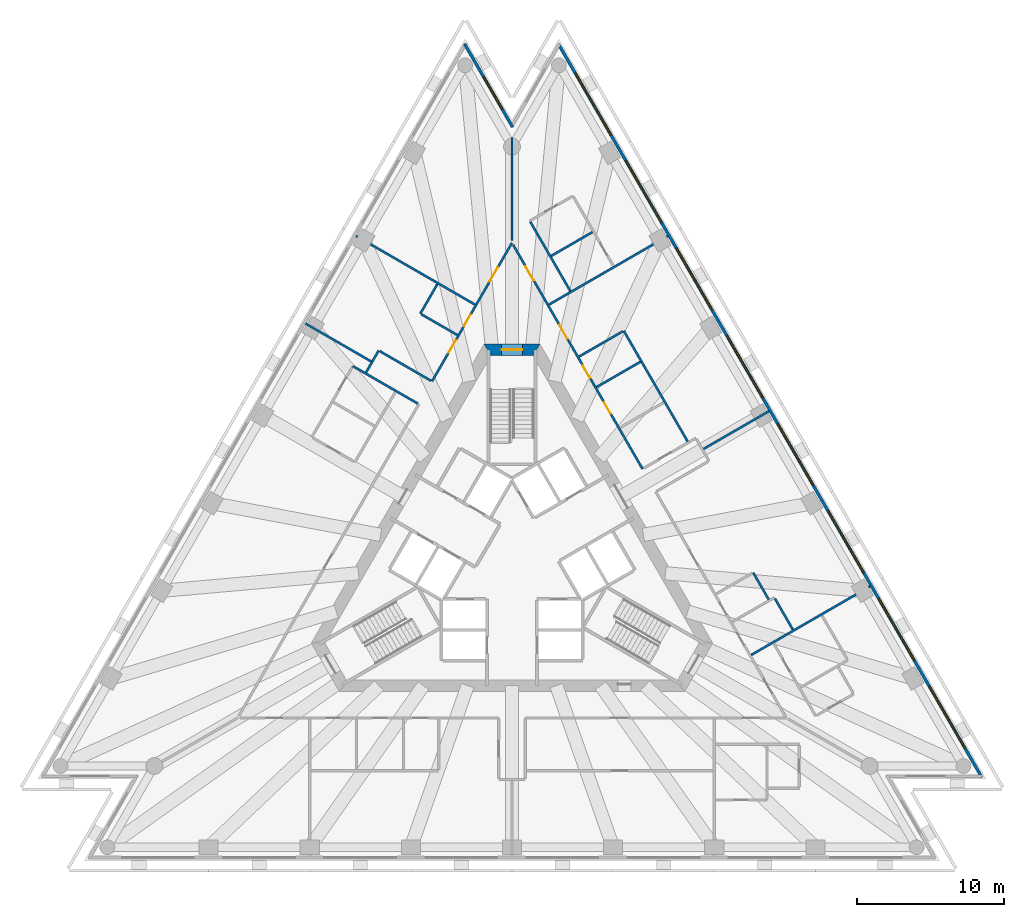
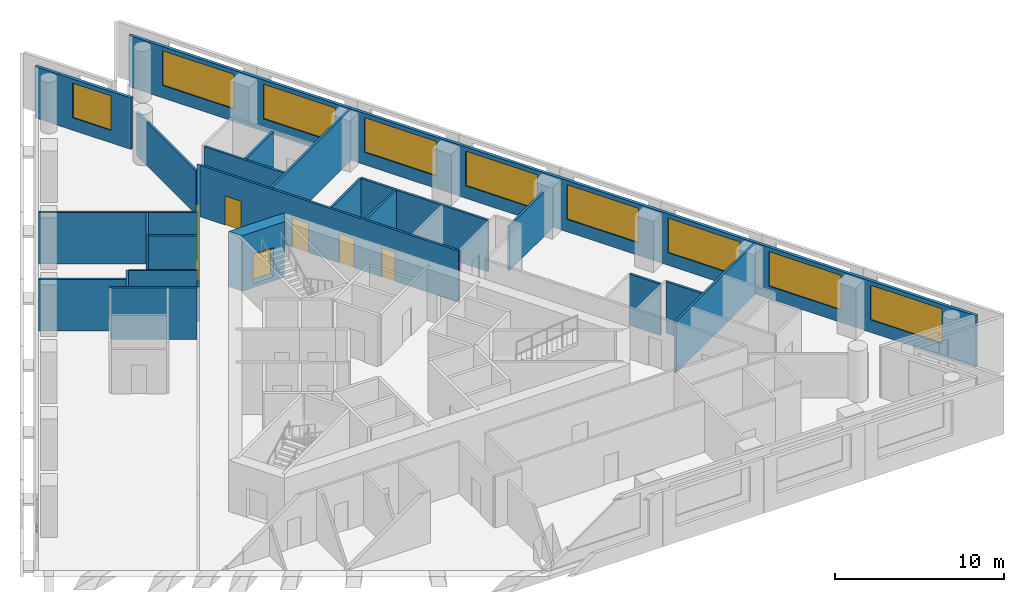
# One storey, part 6 of 10: 23 walls, 9 windows, 8 doors, 17 openings.
"""IFC4 building model written with IfcOpenShell, lengths in metres."""

from ifc_helpers import new_model, si_unit, direction, frame, frame_2d, origin, place, context, subcontext, project, spatial, polyline, rectangle, outline, extrude, material, layer, layer_set, layer_usage, type_object, element, fill, save


model = new_model("IFC4")

# Units and contexts
model_context = context("Model", 3, precision=1e-05, world=origin(), true_north=direction((0.0, 1.0)))
body_context = subcontext(model_context, "Body", "Model", "MODEL_VIEW")
ifc_project = project(units=[si_unit("LENGTHUNIT", "METRE"), si_unit("AREAUNIT", "SQUARE_METRE"), si_unit("VOLUMEUNIT", "CUBIC_METRE"), si_unit("PLANEANGLEUNIT", "RADIAN"), si_unit("MASSUNIT", "GRAM", prefix="KILO")], contexts=[model_context])

# Site, building, storey
site_placement = place(None, origin())
site = spatial("IfcSite", under=ifc_project, at=site_placement, CompositionType="ELEMENT")
building_placement = place(site_placement, origin())
building = spatial("IfcBuilding", under=site, at=building_placement, Name="Triada Interchange Tower", CompositionType="ELEMENT")
storey_placement = place(building_placement, frame((0.0, 0.0, 116.300048828125)))
storey = spatial("IfcBuildingStorey", under=building, at=storey_placement, Name="L26", CompositionType="ELEMENT", Elevation=116.300048828125)

# Wall, opening, door
ifc_material_1 = material(Name="Concrete C60/75", Category="concrete")
ifc_layer_1 = layer(ifc_material_1, 0.800048828125)
ifc_layer_set_1 = layer_set([ifc_layer_1], Name="Core wall B 800")
wall_type_1 = type_object("IfcWallType", Name="Core wall B 800", PredefinedType="SHEAR", material=ifc_layer_set_1)
wall_1_placement = place(storey_placement, frame((1.674072265625, 14.300048828125, -0.300048828125), z_axis=(0.0, 0.0, 1.0), x_axis=(-1.0, 0.0, 0.0)))
wall_1 = element("IfcWall", 1, at=wall_1_placement, inside=storey, type_object=wall_type_1, Name="Core wall WB01 L26", PredefinedType="SHEAR", context=body_context, shape_type="SweptSolid", body=[
    extrude(outline(polyline([(-0.23095703125, -0.39990234375), (1.674072265625, -0.39990234375), (3.5791015625, -0.39990234375), (3.116943359375, 0.39990234375), (1.673828125, 0.39990234375), (0.23095703125, 0.39990234375), (-0.23095703125, -0.39990234375)])), origin(), (0.0, 0.0, 1.0), 4.0),
])
opening_1_placement = place(wall_1_placement, frame((0.97412109375, 0.0, 0.300048828125)))
opening_1 = element("IfcOpeningElement", 2, at=opening_1_placement, cuts=wall_1, Name="Opening D26-41", PredefinedType="OPENING", context=body_context, shape_type="SweptSolid", body=[
    extrude(rectangle(XDim=1.39990234375, YDim=2.10009765625, at=frame_2d((0.699951171875, 1.050048828125))), frame((0.0, 0.409912109375, 0.0), z_axis=(0.0, -1.0, 0.0), x_axis=(1.0, 0.0, 0.0)), (0.0, 0.0, 1.0), 0.820068359375),
])
ifc_material_2 = material(Name="Steel S235 door leaf", Category="steel")
door_type_1 = type_object("IfcDoorType", Name="STAIR DOOR 1400 EI2 90-C5S200", OperationType="DOUBLE_DOOR_SINGLE_SWING", PredefinedType="DOOR", material=ifc_material_2)
door_1_placement = place(opening_1_placement, origin())
door_1 = element("IfcDoor", 3, at=door_1_placement, inside=storey, type_object=door_type_1, Name="Door D26-41 L26", OperationType="DOUBLE_DOOR_SINGLE_SWING", OverallHeight=2.10009765625, OverallWidth=1.39990234375, PredefinedType="DOOR", context=body_context, shape_type="SweptSolid", body=[
    extrude(rectangle(XDim=1.39990234375, YDim=2.10009765625, at=frame_2d((0.699951171875, 1.050048828125))), frame((0.0, 0.02490234375, 0.0), z_axis=(0.0, -1.0, 0.0), x_axis=(1.0, 0.0, 0.0)), (0.0, 0.0, 1.0), 0.050048828125),
])
fill(opening_1, door_1)

# Wall, openings, windows
ifc_material_3 = material(Name="Cement board")
ifc_layer_2 = layer(ifc_material_3, 0.02001953125, Name="Cement board cladding")
ifc_material_4 = material(Name="Sheathing board")
ifc_layer_3 = layer(ifc_material_4, 0.014892578125, Name="Sheathing board")
ifc_material_5 = material(Name="Mineral wool")
ifc_layer_4 = layer(ifc_material_5, 0.14990234375, Name="Mineral wool between steel studs")
ifc_material_6 = material(Name="Gypsum board")
ifc_layer_5 = layer(ifc_material_6, 0.014892578125, Name="Plasterboard lining")
ifc_layer_set_2 = layer_set([ifc_layer_2, ifc_layer_3, ifc_layer_4, ifc_layer_5], Name="External wall 200")
ifc_layer_usage = layer_usage(ifc_layer_set_2, "AXIS2", "POSITIVE", -0.10009765625)
wall_type_2 = type_object("IfcWallType", Name="External wall 200", PredefinedType="ELEMENTEDWALL", material=ifc_layer_set_2)
wall_2_placement = place(storey_placement, frame((32.048095703125, -14.861083984375, 0.0), z_axis=(0.0, 0.0, 1.0), x_axis=(-0.499996704161, 0.866027306629, 0.0)))
wall_2 = element("IfcWall", 4, at=wall_2_placement, inside=storey, type_object=wall_type_2, material=ifc_layer_usage, Name="External wall L26 NE", PredefinedType="ELEMENTEDWALL", context=body_context, shape_type="SweptSolid", body=[
    extrude(rectangle(XDim=57.7685546875, YDim=0.199951171875, at=frame_2d((28.88427734375, 0.0))), origin(), (0.0, 0.0, 1.0), 3.699951171875),
])
opening_2_placement = place(wall_2_placement, frame((2.302001953125, 0.0, 0.89990234375)))
opening_2 = element("IfcOpeningElement", 5, at=opening_2_placement, cuts=wall_2, Name="Opening WB21", PredefinedType="OPENING", context=body_context, shape_type="SweptSolid", body=[
    extrude(rectangle(XDim=4.89990234375, YDim=2.5, at=frame_2d((2.449951171875, 1.25))), frame((0.0, 0.10986328125, 0.0), z_axis=(0.0, -1.0, 0.0), x_axis=(1.0, 0.0, 0.0)), (0.0, 0.0, 1.0), 0.219970703125),
])
opening_3_placement = place(wall_2_placement, frame((9.198974609375, 0.0, 0.89990234375)))
opening_3 = element("IfcOpeningElement", 6, at=opening_3_placement, cuts=wall_2, Name="Opening WB22", PredefinedType="OPENING", context=body_context, shape_type="SweptSolid", body=[
    extrude(rectangle(XDim=4.89990234375, YDim=2.5, at=frame_2d((2.449951171875, 1.25))), frame((0.0, 0.10986328125, 0.0), z_axis=(0.0, -1.0, 0.0), x_axis=(1.0, 0.0, 0.0)), (0.0, 0.0, 1.0), 0.219970703125),
])
opening_4_placement = place(wall_2_placement, frame((16.096923828125, 0.0, 0.89990234375)))
opening_4 = element("IfcOpeningElement", 7, at=opening_4_placement, cuts=wall_2, Name="Opening WB23", PredefinedType="OPENING", context=body_context, shape_type="SweptSolid", body=[
    extrude(rectangle(XDim=4.89990234375, YDim=2.5, at=frame_2d((2.449951171875, 1.25))), frame((0.0, 0.10986328125, 0.0), z_axis=(0.0, -1.0, 0.0), x_axis=(1.0, 0.0, 0.0)), (0.0, 0.0, 1.0), 0.219970703125),
])
opening_5_placement = place(wall_2_placement, frame((22.9951171875, 0.0, 0.89990234375)))
opening_5 = element("IfcOpeningElement", 8, at=opening_5_placement, cuts=wall_2, Name="Opening WB24", PredefinedType="OPENING", context=body_context, shape_type="SweptSolid", body=[
    extrude(rectangle(XDim=4.89990234375, YDim=2.5, at=frame_2d((2.449951171875, 1.25))), frame((0.0, 0.10986328125, 0.0), z_axis=(0.0, -1.0, 0.0), x_axis=(1.0, 0.0, 0.0)), (0.0, 0.0, 1.0), 0.219970703125),
])
opening_6_placement = place(wall_2_placement, frame((29.89306640625, 0.0, 0.89990234375)))
opening_6 = element("IfcOpeningElement", 9, at=opening_6_placement, cuts=wall_2, Name="Opening WB25", PredefinedType="OPENING", context=body_context, shape_type="SweptSolid", body=[
    extrude(rectangle(XDim=4.89990234375, YDim=2.5, at=frame_2d((2.449951171875, 1.25))), frame((0.0, 0.10986328125, 0.0), z_axis=(0.0, -1.0, 0.0), x_axis=(1.0, 0.0, 0.0)), (0.0, 0.0, 1.0), 0.219970703125),
])
opening_7_placement = place(wall_2_placement, frame((36.791015625, 0.0, 0.89990234375)))
opening_7 = element("IfcOpeningElement", 10, at=opening_7_placement, cuts=wall_2, Name="Opening WB26", PredefinedType="OPENING", context=body_context, shape_type="SweptSolid", body=[
    extrude(rectangle(XDim=4.89990234375, YDim=2.5, at=frame_2d((2.449951171875, 1.25))), frame((0.0, 0.10986328125, 0.0), z_axis=(0.0, -1.0, 0.0), x_axis=(1.0, 0.0, 0.0)), (0.0, 0.0, 1.0), 0.219970703125),
])
opening_8_placement = place(wall_2_placement, frame((43.68896484375, 0.0, 0.89990234375)))
opening_8 = element("IfcOpeningElement", 11, at=opening_8_placement, cuts=wall_2, Name="Opening WB27", PredefinedType="OPENING", context=body_context, shape_type="SweptSolid", body=[
    extrude(rectangle(XDim=4.89990234375, YDim=2.5, at=frame_2d((2.449951171875, 1.25))), frame((0.0, 0.10986328125, 0.0), z_axis=(0.0, -1.0, 0.0), x_axis=(1.0, 0.0, 0.0)), (0.0, 0.0, 1.0), 0.219970703125),
])
opening_9_placement = place(wall_2_placement, frame((50.5869140625, 0.0, 0.89990234375)))
opening_9 = element("IfcOpeningElement", 12, at=opening_9_placement, cuts=wall_2, Name="Opening WB28", PredefinedType="OPENING", context=body_context, shape_type="SweptSolid", body=[
    extrude(rectangle(XDim=4.89990234375, YDim=2.5, at=frame_2d((2.449951171875, 1.25))), frame((0.0, 0.10986328125, 0.0), z_axis=(0.0, -1.0, 0.0), x_axis=(1.0, 0.0, 0.0)), (0.0, 0.0, 1.0), 0.219970703125),
])
ifc_material_7 = material(Name="Double glazed aluminium window", Category="aluminium")
window_type_1 = type_object("IfcWindowType", Name="Ribbon window B face", PartitioningType="SINGLE_PANEL", PredefinedType="WINDOW", material=ifc_material_7)
window_1_placement = place(opening_2_placement, origin())
window_1 = element("IfcWindow", 13, at=window_1_placement, inside=storey, type_object=window_type_1, Name="Window L26 NE 1", OverallHeight=2.5, OverallWidth=4.89990234375, PartitioningType="SINGLE_PANEL", PredefinedType="WINDOW", context=body_context, shape_type="SweptSolid", body=[
    extrude(rectangle(XDim=4.89990234375, YDim=2.5, at=frame_2d((2.449951171875, 1.25))), frame((0.0, 0.030029296875, 0.0), z_axis=(0.0, -1.0, 0.0), x_axis=(1.0, 0.0, 0.0)), (0.0, 0.0, 1.0), 0.06005859375),
])
fill(opening_2, window_1)
window_2_placement = place(opening_3_placement, origin())
window_2 = element("IfcWindow", 14, at=window_2_placement, inside=storey, type_object=window_type_1, Name="Window L26 NE 2", OverallHeight=2.5, OverallWidth=4.89990234375, PartitioningType="SINGLE_PANEL", PredefinedType="WINDOW", context=body_context, shape_type="SweptSolid", body=[
    extrude(rectangle(XDim=4.89990234375, YDim=2.5, at=frame_2d((2.449951171875, 1.25))), frame((0.0, 0.030029296875, 0.0), z_axis=(0.0, -1.0, 0.0), x_axis=(1.0, 0.0, 0.0)), (0.0, 0.0, 1.0), 0.06005859375),
])
fill(opening_3, window_2)
window_3_placement = place(opening_4_placement, origin())
window_3 = element("IfcWindow", 15, at=window_3_placement, inside=storey, type_object=window_type_1, Name="Window L26 NE 3", OverallHeight=2.5, OverallWidth=4.89990234375, PartitioningType="SINGLE_PANEL", PredefinedType="WINDOW", context=body_context, shape_type="SweptSolid", body=[
    extrude(rectangle(XDim=4.89990234375, YDim=2.5, at=frame_2d((2.449951171875, 1.25))), frame((0.0, 0.030029296875, 0.0), z_axis=(0.0, -1.0, 0.0), x_axis=(1.0, 0.0, 0.0)), (0.0, 0.0, 1.0), 0.06005859375),
])
fill(opening_4, window_3)
window_4_placement = place(opening_5_placement, origin())
window_4 = element("IfcWindow", 16, at=window_4_placement, inside=storey, type_object=window_type_1, Name="Window L26 NE 4", OverallHeight=2.5, OverallWidth=4.89990234375, PartitioningType="SINGLE_PANEL", PredefinedType="WINDOW", context=body_context, shape_type="SweptSolid", body=[
    extrude(rectangle(XDim=4.89990234375, YDim=2.5, at=frame_2d((2.449951171875, 1.25))), frame((0.0, 0.030029296875, 0.0), z_axis=(0.0, -1.0, 0.0), x_axis=(1.0, 0.0, 0.0)), (0.0, 0.0, 1.0), 0.06005859375),
])
fill(opening_5, window_4)
window_5_placement = place(opening_6_placement, origin())
window_5 = element("IfcWindow", 17, at=window_5_placement, inside=storey, type_object=window_type_1, Name="Window L26 NE 5", OverallHeight=2.5, OverallWidth=4.89990234375, PartitioningType="SINGLE_PANEL", PredefinedType="WINDOW", context=body_context, shape_type="SweptSolid", body=[
    extrude(rectangle(XDim=4.89990234375, YDim=2.5, at=frame_2d((2.449951171875, 1.25))), frame((0.0, 0.030029296875, 0.0), z_axis=(0.0, -1.0, 0.0), x_axis=(1.0, 0.0, 0.0)), (0.0, 0.0, 1.0), 0.06005859375),
])
fill(opening_6, window_5)
window_6_placement = place(opening_7_placement, origin())
window_6 = element("IfcWindow", 18, at=window_6_placement, inside=storey, type_object=window_type_1, Name="Window L26 NE 6", OverallHeight=2.5, OverallWidth=4.89990234375, PartitioningType="SINGLE_PANEL", PredefinedType="WINDOW", context=body_context, shape_type="SweptSolid", body=[
    extrude(rectangle(XDim=4.89990234375, YDim=2.5, at=frame_2d((2.449951171875, 1.25))), frame((0.0, 0.030029296875, 0.0), z_axis=(0.0, -1.0, 0.0), x_axis=(1.0, 0.0, 0.0)), (0.0, 0.0, 1.0), 0.06005859375),
])
fill(opening_7, window_6)
window_7_placement = place(opening_8_placement, origin())
window_7 = element("IfcWindow", 19, at=window_7_placement, inside=storey, type_object=window_type_1, Name="Window L26 NE 7", OverallHeight=2.5, OverallWidth=4.89990234375, PartitioningType="SINGLE_PANEL", PredefinedType="WINDOW", context=body_context, shape_type="SweptSolid", body=[
    extrude(rectangle(XDim=4.89990234375, YDim=2.5, at=frame_2d((2.449951171875, 1.25))), frame((0.0, 0.030029296875, 0.0), z_axis=(0.0, -1.0, 0.0), x_axis=(1.0, 0.0, 0.0)), (0.0, 0.0, 1.0), 0.06005859375),
])
fill(opening_8, window_7)
window_8_placement = place(opening_9_placement, origin())
window_8 = element("IfcWindow", 20, at=window_8_placement, inside=storey, type_object=window_type_1, Name="Window L26 NE 8", OverallHeight=2.5, OverallWidth=4.89990234375, PartitioningType="SINGLE_PANEL", PredefinedType="WINDOW", context=body_context, shape_type="SweptSolid", body=[
    extrude(rectangle(XDim=4.89990234375, YDim=2.5, at=frame_2d((2.449951171875, 1.25))), frame((0.0, 0.030029296875, 0.0), z_axis=(0.0, -1.0, 0.0), x_axis=(1.0, 0.0, 0.0)), (0.0, 0.0, 1.0), 0.06005859375),
])
fill(opening_9, window_8)

# Wall, opening, window
wall_3_placement = place(storey_placement, frame((0.044921875, 29.487060546875, 0.0), z_axis=(0.0, 0.0, 1.0), x_axis=(-0.499878187048, 0.866095721103, 0.0)))
wall_3 = element("IfcWall", 21, at=wall_3_placement, inside=storey, type_object=wall_type_2, material=ifc_layer_usage, Name="External wall L26 N-2", PredefinedType="ELEMENTEDWALL", context=body_context, shape_type="SweptSolid", body=[
    extrude(rectangle(XDim=6.559326171875, YDim=0.199951171875, at=frame_2d((3.27978515625, 0.0))), origin(), (0.0, 0.0, 1.0), 3.699951171875),
])
opening_10_placement = place(wall_3_placement, frame((1.389892578125, 0.0, 0.89990234375)))
opening_10 = element("IfcOpeningElement", 22, at=opening_10_placement, cuts=wall_3, Name="Opening WB30", PredefinedType="OPENING", context=body_context, shape_type="SweptSolid", body=[
    extrude(rectangle(XDim=2.60009765625, YDim=2.5, at=frame_2d((1.300048828125, 1.25))), frame((0.0, 0.10986328125, 0.0), z_axis=(0.0, -1.0, 0.0), x_axis=(1.0, 0.0, 0.0)), (0.0, 0.0, 1.0), 0.219970703125),
])
window_type_2 = type_object("IfcWindowType", Name="Ribbon window B pocket", PartitioningType="SINGLE_PANEL", PredefinedType="WINDOW", material=ifc_material_7)
window_9_placement = place(opening_10_placement, origin())
window_9 = element("IfcWindow", 23, at=window_9_placement, inside=storey, type_object=window_type_2, Name="Window L26 N-2 1", OverallHeight=2.5, OverallWidth=2.60009765625, PartitioningType="SINGLE_PANEL", PredefinedType="WINDOW", context=body_context, shape_type="SweptSolid", body=[
    extrude(rectangle(XDim=2.60009765625, YDim=2.5, at=frame_2d((1.300048828125, 1.25))), frame((0.0, 0.030029296875, 0.0), z_axis=(0.0, -1.0, 0.0), x_axis=(1.0, 0.0, 0.0)), (0.0, 0.0, 1.0), 0.06005859375),
])
fill(opening_10, window_9)

# Wall
ifc_material_8 = material(Name="Gypsum board partition")
ifc_layer_6 = layer(ifc_material_8, 0.14990234375)
ifc_layer_set_3 = layer_set([ifc_layer_6], Name="PARTITION 150 EI 180")
wall_type_3 = type_object("IfcWallType", Name="PARTITION 150 EI 180", PredefinedType="PARTITIONING", material=ifc_layer_set_3)
wall_4_placement = place(storey_placement, frame((13.054931640625, 7.5380859375, 0.0), z_axis=(0.0, 0.0, 1.0), x_axis=(0.866048717436, 0.499959617396, 0.0)))
element("IfcWall", 24, at=wall_4_placement, inside=storey, type_object=wall_type_3, Name="Wall L26 2", PredefinedType="PARTITIONING", context=body_context, shape_type="SweptSolid", body=[
    extrude(rectangle(XDim=5.16845703125, YDim=0.14990234375, at=frame_2d((2.584228515625, 0.0))), origin(), (0.0, 0.0, 1.0), 3.199951171875),
])

# Wall, openings, doors
wall_5_placement = place(storey_placement, frame((-5.4541015625, 12.154052734375, 0.0), z_axis=(0.0, 0.0, 1.0), x_axis=(0.500029221456, 0.866008532111, 0.0)))
wall_5 = element("IfcWall", 25, at=wall_5_placement, inside=storey, type_object=wall_type_3, Name="Wall L26 6", PredefinedType="PARTITIONING", context=body_context, shape_type="SweptSolid", body=[
    extrude(rectangle(XDim=10.907470703125, YDim=0.14990234375, at=frame_2d((5.45361328125, 0.0))), origin(), (0.0, 0.0, 1.0), 3.699951171875),
])
opening_11_placement = place(wall_5_placement, frame((7.85693359375, 0.0, 0.0)))
opening_11 = element("IfcOpeningElement", 26, at=opening_11_placement, cuts=wall_5, Name="Opening D26-34", PredefinedType="OPENING", context=body_context, shape_type="SweptSolid", body=[
    extrude(rectangle(XDim=1.10009765625, YDim=2.10009765625, at=frame_2d((0.550048828125, 1.050048828125))), frame((0.0, 0.0849609375, 0.0), z_axis=(0.0, -1.0, 0.0), x_axis=(1.0, 0.0, 0.0)), (0.0, 0.0, 1.0), 0.169921875),
])
opening_12_placement = place(wall_5_placement, frame((2.248046875, 0.0, 0.0)))
opening_12 = element("IfcOpeningElement", 27, at=opening_12_placement, cuts=wall_5, Name="Opening D26-35", PredefinedType="OPENING", context=body_context, shape_type="SweptSolid", body=[
    extrude(rectangle(XDim=1.0, YDim=2.10009765625, at=frame_2d((0.5, 1.050048828125))), frame((0.0, 0.0849609375, 0.0), z_axis=(0.0, -1.0, 0.0), x_axis=(1.0, 0.0, 0.0)), (0.0, 0.0, 1.0), 0.169921875),
])
opening_13_placement = place(wall_5_placement, frame((4.347900390625, 0.0, 0.0)))
opening_13 = element("IfcOpeningElement", 28, at=opening_13_placement, cuts=wall_5, Name="Opening D26-36", PredefinedType="OPENING", context=body_context, shape_type="SweptSolid", body=[
    extrude(rectangle(XDim=0.89990234375, YDim=2.10009765625, at=frame_2d((0.449951171875, 1.050048828125))), frame((0.0, 0.0849609375, 0.0), z_axis=(0.0, -1.0, 0.0), x_axis=(1.0, 0.0, 0.0)), (0.0, 0.0, 1.0), 0.169921875),
])
door_type_2 = type_object("IfcDoorType", Name="ROOM DOOR 1000 EI2 90-C5S200", OperationType="NOTDEFINED", PredefinedType="DOOR", material=ifc_material_2)
door_2_placement = place(opening_12_placement, origin())
door_2 = element("IfcDoor", 29, at=door_2_placement, inside=storey, type_object=door_type_2, Name="Door D26-35 L26", OperationType="SINGLE_SWING_LEFT", OverallHeight=2.10009765625, OverallWidth=1.0, PredefinedType="DOOR", context=body_context, shape_type="SweptSolid", body=[
    extrude(rectangle(XDim=1.0, YDim=2.10009765625, at=frame_2d((0.5, 1.050048828125))), frame((0.0, 0.02490234375, 0.0), z_axis=(0.0, -1.0, 0.0), x_axis=(1.0, 0.0, 0.0)), (0.0, 0.0, 1.0), 0.050048828125),
])
fill(opening_12, door_2)
door_type_3 = type_object("IfcDoorType", Name="SERVICE DOOR 900 EI2 90-C5S200", OperationType="NOTDEFINED", PredefinedType="DOOR", material=ifc_material_2)
door_3_placement = place(opening_13_placement, origin())
door_3 = element("IfcDoor", 30, at=door_3_placement, inside=storey, type_object=door_type_3, Name="Door D26-36 L26", OperationType="SINGLE_SWING_LEFT", OverallHeight=2.10009765625, OverallWidth=0.89990234375, PredefinedType="DOOR", context=body_context, shape_type="SweptSolid", body=[
    extrude(rectangle(XDim=0.89990234375, YDim=2.10009765625, at=frame_2d((0.449951171875, 1.050048828125))), frame((0.0, 0.02490234375, 0.0), z_axis=(0.0, -1.0, 0.0), x_axis=(1.0, 0.0, 0.0)), (0.0, 0.0, 1.0), 0.050048828125),
])
fill(opening_13, door_3)
door_type_4 = type_object("IfcDoorType", Name="TENANCY ENTRANCE DOOR 1100 EI2 90-C5S200", OperationType="NOTDEFINED", PredefinedType="DOOR", material=ifc_material_2)
door_4_placement = place(opening_11_placement, origin())
door_4 = element("IfcDoor", 31, at=door_4_placement, inside=storey, type_object=door_type_4, Name="Door D26-34 L26", OperationType="SINGLE_SWING_RIGHT", OverallHeight=2.10009765625, OverallWidth=1.10009765625, PredefinedType="DOOR", context=body_context, shape_type="SweptSolid", body=[
    extrude(rectangle(XDim=1.10009765625, YDim=2.10009765625, at=frame_2d((0.550048828125, 1.050048828125))), frame((0.0, 0.02490234375, 0.0), z_axis=(0.0, -1.0, 0.0), x_axis=(1.0, 0.0, 0.0)), (0.0, 0.0, 1.0), 0.050048828125),
])
fill(opening_11, door_4)

# Walls
wall_6_placement = place(storey_placement, frame((-10.85693359375, 13.194091796875, 0.0), z_axis=(0.0, 0.0, 1.0), x_axis=(0.865999895656, -0.500044178772, 0.0)))
element("IfcWall", 32, at=wall_6_placement, inside=storey, type_object=wall_type_3, Name="Wall L26 7", PredefinedType="PARTITIONING", context=body_context, shape_type="SweptSolid", body=[
    extrude(rectangle(XDim=5.12353515625, YDim=0.14990234375, at=frame_2d((2.561767578125, 0.0))), origin(), (0.0, 0.0, 1.0), 3.699951171875),
])
wall_7_placement = place(storey_placement, frame((-9.9541015625, 12.759033203125, 0.0), z_axis=(0.0, 0.0, 1.0), x_axis=(0.500232802748, 0.865890953328, 0.0)))
element("IfcWall", 33, at=wall_7_placement, inside=storey, type_object=wall_type_3, Name="Wall L26 8", PredefinedType="PARTITIONING", context=body_context, shape_type="SweptSolid", body=[
    extrude(rectangle(XDim=1.725341796875, YDim=0.14990234375, at=frame_2d((0.86279296875, 0.0))), origin(), (0.0, 0.0, 1.0), 3.699951171875),
])
wall_8_placement = place(storey_placement, frame((-14.0830078125, 16.095947265625, 0.0), z_axis=(0.0, 0.0, 1.0), x_axis=(0.866014140959, -0.500019507279, 0.0)))
element("IfcWall", 34, at=wall_8_placement, inside=storey, type_object=wall_type_3, Name="Wall L26 9", PredefinedType="PARTITIONING", context=body_context, shape_type="SweptSolid", body=[
    extrude(rectangle(XDim=5.169677734375, YDim=0.14990234375, at=frame_2d((2.5849609375, 0.0))), origin(), (0.0, 0.0, 1.0), 3.699951171875),
])
wall_9_placement = place(storey_placement, frame((-10.634033203125, 22.070068359375, 0.0), z_axis=(0.0, 0.0, 1.0), x_axis=(0.866005502057, -0.500034469219, 0.0)))
element("IfcWall", 35, at=wall_9_placement, inside=storey, type_object=wall_type_3, Name="Wall L26 12", PredefinedType="PARTITIONING", context=body_context, shape_type="SweptSolid", body=[
    extrude(rectangle(XDim=9.369384765625, YDim=0.14990234375, at=frame_2d((4.6845703125, 0.0))), origin(), (0.0, 0.0, 1.0), 3.699951171875),
])
wall_10_placement = place(storey_placement, frame((-9.02587890625, 14.216064453125, 0.0), z_axis=(0.0, 0.0, 1.0), x_axis=(0.865914407792, -0.500192201437, 0.0)))
element("IfcWall", 36, at=wall_10_placement, inside=storey, type_object=wall_type_3, Name="Wall L26 14", PredefinedType="PARTITIONING", context=body_context, shape_type="SweptSolid", body=[
    extrude(rectangle(XDim=4.048828125, YDim=0.14990234375, at=frame_2d((2.0244140625, 0.0))), origin(), (0.0, 0.0, 1.0), 3.699951171875),
])
wall_11_placement = place(storey_placement, frame((-6.2529296875, 16.76904296875, 0.0), z_axis=(0.0, 0.0, 1.0), x_axis=(0.499719423372, 0.866187334186, 0.0)))
element("IfcWall", 37, at=wall_11_placement, inside=storey, type_object=wall_type_3, Name="Wall L26 17", PredefinedType="PARTITIONING", context=body_context, shape_type="SweptSolid", body=[
    extrude(rectangle(XDim=2.324951171875, YDim=0.14990234375, at=frame_2d((1.16259765625, 0.0))), origin(), (0.0, 0.0, 1.0), 3.699951171875),
])
wall_12_placement = place(storey_placement, frame((-6.18798828125, 16.73193359375, 0.0), z_axis=(0.0, 0.0, 1.0), x_axis=(0.866004402611, -0.500036373335, 0.0)))
element("IfcWall", 38, at=wall_12_placement, inside=storey, type_object=wall_type_3, Name="Wall L26 18", PredefinedType="PARTITIONING", context=body_context, shape_type="SweptSolid", body=[
    extrude(rectangle(XDim=2.849853515625, YDim=0.14990234375, at=frame_2d((1.4248046875, 0.0))), origin(), (0.0, 0.0, 1.0), 3.699951171875),
])
wall_13_placement = place(storey_placement, frame((0.0, 21.75, 0.0), z_axis=(0.0, 0.0, 1.0), x_axis=(0.0, 1.0, 0.0)))
element("IfcWall", 39, at=wall_13_placement, inside=storey, type_object=wall_type_3, Name="Wall L26 22", PredefinedType="PARTITIONING", context=body_context, shape_type="SweptSolid", body=[
    extrude(rectangle(XDim=7.034912109375, YDim=0.14990234375, at=frame_2d((3.517578125, 0.0))), origin(), (0.0, 0.0, 1.0), 3.14990234375),
])

# Wall, openings, doors
wall_14_placement = place(storey_placement, frame((0.075927734375, 21.468017578125, 0.0), z_axis=(0.0, 0.0, 1.0), x_axis=(0.500006592492, -0.866021597574, 0.0)))
wall_14 = element("IfcWall", 40, at=wall_14_placement, inside=storey, type_object=wall_type_3, Name="Wall L26 24", PredefinedType="PARTITIONING", context=body_context, shape_type="SweptSolid", body=[
    extrude(rectangle(XDim=17.652099609375, YDim=0.14990234375, at=frame_2d((8.826171875, 0.0))), origin(), (0.0, 0.0, 1.0), 3.699951171875),
])
opening_14_placement = place(wall_14_placement, frame((6.302978515625, 0.0, 0.0)))
opening_14 = element("IfcOpeningElement", 41, at=opening_14_placement, cuts=wall_14, Name="Opening D26-27", PredefinedType="OPENING", context=body_context, shape_type="SweptSolid", body=[
    extrude(rectangle(XDim=1.10009765625, YDim=2.10009765625, at=frame_2d((0.550048828125, 1.050048828125))), frame((0.0, 0.0849609375, 0.0), z_axis=(0.0, -1.0, 0.0), x_axis=(1.0, 0.0, 0.0)), (0.0, 0.0, 1.0), 0.169921875),
])
opening_15_placement = place(wall_14_placement, frame((12.403076171875, 0.0, 0.0)))
opening_15 = element("IfcOpeningElement", 42, at=opening_15_placement, cuts=wall_14, Name="Opening D26-29", PredefinedType="OPENING", context=body_context, shape_type="SweptSolid", body=[
    extrude(rectangle(XDim=0.89990234375, YDim=2.10009765625, at=frame_2d((0.449951171875, 1.050048828125))), frame((0.0, 0.0849609375, 0.0), z_axis=(0.0, -1.0, 0.0), x_axis=(1.0, 0.0, 0.0)), (0.0, 0.0, 1.0), 0.169921875),
])
opening_16_placement = place(wall_14_placement, frame((9.5029296875, 0.0, 0.0)))
opening_16 = element("IfcOpeningElement", 43, at=opening_16_placement, cuts=wall_14, Name="Opening D26-30", PredefinedType="OPENING", context=body_context, shape_type="SweptSolid", body=[
    extrude(rectangle(XDim=1.0, YDim=2.10009765625, at=frame_2d((0.5, 1.050048828125))), frame((0.0, 0.0849609375, 0.0), z_axis=(0.0, -1.0, 0.0), x_axis=(1.0, 0.0, 0.0)), (0.0, 0.0, 1.0), 0.169921875),
])
opening_17_placement = place(wall_14_placement, frame((1.7080078125, 0.0, 0.0)))
opening_17 = element("IfcOpeningElement", 44, at=opening_17_placement, cuts=wall_14, Name="Opening D26-31", PredefinedType="OPENING", context=body_context, shape_type="SweptSolid", body=[
    extrude(rectangle(XDim=1.10009765625, YDim=2.10009765625, at=frame_2d((0.550048828125, 1.050048828125))), frame((0.0, 0.0849609375, 0.0), z_axis=(0.0, -1.0, 0.0), x_axis=(1.0, 0.0, 0.0)), (0.0, 0.0, 1.0), 0.169921875),
])
door_5_placement = place(opening_16_placement, origin())
door_5 = element("IfcDoor", 45, at=door_5_placement, inside=storey, type_object=door_type_2, Name="Door D26-30 L26", OperationType="SINGLE_SWING_RIGHT", OverallHeight=2.10009765625, OverallWidth=1.0, PredefinedType="DOOR", context=body_context, shape_type="SweptSolid", body=[
    extrude(rectangle(XDim=1.0, YDim=2.10009765625, at=frame_2d((0.5, 1.050048828125))), frame((0.0, 0.02490234375, 0.0), z_axis=(0.0, -1.0, 0.0), x_axis=(1.0, 0.0, 0.0)), (0.0, 0.0, 1.0), 0.050048828125),
])
fill(opening_16, door_5)
door_type_5 = type_object("IfcDoorType", Name="ROOM DOOR 900 EI2 90-C5S200", OperationType="NOTDEFINED", PredefinedType="DOOR", material=ifc_material_2)
door_6_placement = place(opening_15_placement, origin())
door_6 = element("IfcDoor", 46, at=door_6_placement, inside=storey, type_object=door_type_5, Name="Door D26-29 L26", OperationType="SINGLE_SWING_LEFT", OverallHeight=2.10009765625, OverallWidth=0.89990234375, PredefinedType="DOOR", context=body_context, shape_type="SweptSolid", body=[
    extrude(rectangle(XDim=0.89990234375, YDim=2.10009765625, at=frame_2d((0.449951171875, 1.050048828125))), frame((0.0, 0.02490234375, 0.0), z_axis=(0.0, -1.0, 0.0), x_axis=(1.0, 0.0, 0.0)), (0.0, 0.0, 1.0), 0.050048828125),
])
fill(opening_15, door_6)
door_7_placement = place(opening_14_placement, origin())
door_7 = element("IfcDoor", 47, at=door_7_placement, inside=storey, type_object=door_type_4, Name="Door D26-27 L26", OperationType="SINGLE_SWING_LEFT", OverallHeight=2.10009765625, OverallWidth=1.10009765625, PredefinedType="DOOR", context=body_context, shape_type="SweptSolid", body=[
    extrude(rectangle(XDim=1.10009765625, YDim=2.10009765625, at=frame_2d((0.550048828125, 1.050048828125))), frame((0.0, 0.02490234375, 0.0), z_axis=(0.0, -1.0, 0.0), x_axis=(1.0, 0.0, 0.0)), (0.0, 0.0, 1.0), 0.050048828125),
])
fill(opening_14, door_7)
door_8_placement = place(opening_17_placement, origin())
door_8 = element("IfcDoor", 48, at=door_8_placement, inside=storey, type_object=door_type_4, Name="Door D26-31 L26", OperationType="SINGLE_SWING_LEFT", OverallHeight=2.10009765625, OverallWidth=1.10009765625, PredefinedType="DOOR", context=body_context, shape_type="SweptSolid", body=[
    extrude(rectangle(XDim=1.10009765625, YDim=2.10009765625, at=frame_2d((0.550048828125, 1.050048828125))), frame((0.0, 0.02490234375, 0.0), z_axis=(0.0, -1.0, 0.0), x_axis=(1.0, 0.0, 0.0)), (0.0, 0.0, 1.0), 0.050048828125),
])
fill(opening_17, door_8)

# Walls
wall_15_placement = place(storey_placement, frame((2.52001953125, 17.385009765625, 0.0), z_axis=(0.0, 0.0, 1.0), x_axis=(0.866005502057, 0.500034469219, 0.0)))
element("IfcWall", 49, at=wall_15_placement, inside=storey, type_object=wall_type_3, Name="Wall L26 26", PredefinedType="PARTITIONING", context=body_context, shape_type="SweptSolid", body=[
    extrude(rectangle(XDim=9.369384765625, YDim=0.14990234375, at=frame_2d((4.6845703125, 0.0))), origin(), (0.0, 0.0, 1.0), 3.699951171875),
])
wall_16_placement = place(storey_placement, frame((7.62109375, 15.60107421875, 0.0), z_axis=(0.0, 0.0, 1.0), x_axis=(0.499937230245, -0.866061640887, 0.0)))
element("IfcWall", 50, at=wall_16_placement, inside=storey, type_object=wall_type_3, Name="Wall L26 27", PredefinedType="PARTITIONING", context=body_context, shape_type="SweptSolid", body=[
    extrude(rectangle(XDim=8.724609375, YDim=0.14990234375, at=frame_2d((4.3623046875, 0.0))), origin(), (0.0, 0.0, 1.0), 3.699951171875),
])
wall_17_placement = place(storey_placement, frame((4.568115234375, 13.837890625, 0.0), z_axis=(0.0, 0.0, 1.0), x_axis=(0.866013532718, 0.500020560727, 0.0)))
element("IfcWall", 51, at=wall_17_placement, inside=storey, type_object=wall_type_3, Name="Wall L26 28", PredefinedType="PARTITIONING", context=body_context, shape_type="SweptSolid", body=[
    extrude(rectangle(XDim=3.449951171875, YDim=0.14990234375, at=frame_2d((1.72509765625, 0.0))), origin(), (0.0, 0.0, 1.0), 3.699951171875),
])
wall_18_placement = place(storey_placement, frame((5.76806640625, 11.760009765625, 0.0), z_axis=(0.0, 0.0, 1.0), x_axis=(0.866031223622, 0.49998991961, 0.0)))
element("IfcWall", 52, at=wall_18_placement, inside=storey, type_object=wall_type_3, Name="Wall L26 29", PredefinedType="PARTITIONING", context=body_context, shape_type="SweptSolid", body=[
    extrude(rectangle(XDim=3.4501953125, YDim=0.14990234375, at=frame_2d((1.72509765625, 0.0))), origin(), (0.0, 0.0, 1.0), 3.699951171875),
])
wall_19_placement = place(storey_placement, frame((16.448974609375, -0.89111328125, 0.0), z_axis=(0.0, 0.0, 1.0), x_axis=(0.500266112279, -0.865871709265, 0.0)))
element("IfcWall", 53, at=wall_19_placement, inside=storey, type_object=wall_type_3, Name="Wall L26 35", PredefinedType="PARTITIONING", context=body_context, shape_type="SweptSolid", body=[
    extrude(rectangle(XDim=2.124755859375, YDim=0.14990234375, at=frame_2d((1.0625, 0.0))), origin(), (0.0, 0.0, 1.0), 3.699951171875),
])
wall_20_placement = place(storey_placement, frame((16.31591796875, -6.510009765625, 0.0), z_axis=(0.0, 0.0, 1.0), x_axis=(0.866024577697, 0.500001430823, 0.0)))
element("IfcWall", 54, at=wall_20_placement, inside=storey, type_object=wall_type_3, Name="Wall L26 38", PredefinedType="PARTITIONING", context=body_context, shape_type="SweptSolid", body=[
    extrude(rectangle(XDim=9.3681640625, YDim=0.14990234375, at=frame_2d((4.68408203125, 0.0))), origin(), (0.0, 0.0, 1.0), 3.699951171875),
])
wall_21_placement = place(storey_placement, frame((17.93310546875, -2.660888671875, 0.0), z_axis=(0.0, 0.0, 1.0), x_axis=(0.499900713578, -0.866082719239, 0.0)))
element("IfcWall", 55, at=wall_21_placement, inside=storey, type_object=wall_type_3, Name="Wall L26 39", PredefinedType="PARTITIONING", context=body_context, shape_type="SweptSolid", body=[
    extrude(rectangle(XDim=2.4501953125, YDim=0.14990234375, at=frame_2d((1.22509765625, 0.0))), origin(), (0.0, 0.0, 1.0), 3.699951171875),
])
ifc_layer_7 = layer(ifc_material_8, 0.14990234375)
ifc_layer_set_4 = layer_set([ifc_layer_7], Name="PARTITION 150 EI 90")
wall_type_4 = type_object("IfcWallType", Name="PARTITION 150 EI 90", PredefinedType="PARTITIONING", material=ifc_layer_set_4)
wall_22_placement = place(storey_placement, frame((2.678955078125, 20.7099609375, 0.0), z_axis=(0.0, 0.0, 1.0), x_axis=(0.865977875238, 0.500082312822, 0.0)))
element("IfcWall", 56, at=wall_22_placement, inside=storey, type_object=wall_type_4, Name="Wall L26 46", PredefinedType="PARTITIONING", context=body_context, shape_type="SweptSolid", body=[
    extrude(rectangle(XDim=3.24951171875, YDim=0.14990234375, at=frame_2d((1.624755859375, 0.0))), origin(), (0.0, 0.0, 1.0), 3.699951171875),
])
wall_23_placement = place(storey_placement, frame((1.2509765625, 23.032958984375, 0.0), z_axis=(0.0, 0.0, 1.0), x_axis=(0.500002931134, -0.866023711487, 0.0)))
element("IfcWall", 57, at=wall_23_placement, inside=storey, type_object=wall_type_4, Name="Wall L26 49", PredefinedType="PARTITIONING", context=body_context, shape_type="SweptSolid", body=[
    extrude(rectangle(XDim=5.4501953125, YDim=0.14990234375, at=frame_2d((2.72509765625, 0.0))), origin(), (0.0, 0.0, 1.0), 3.699951171875),
])

save(model, "model.ifc")
